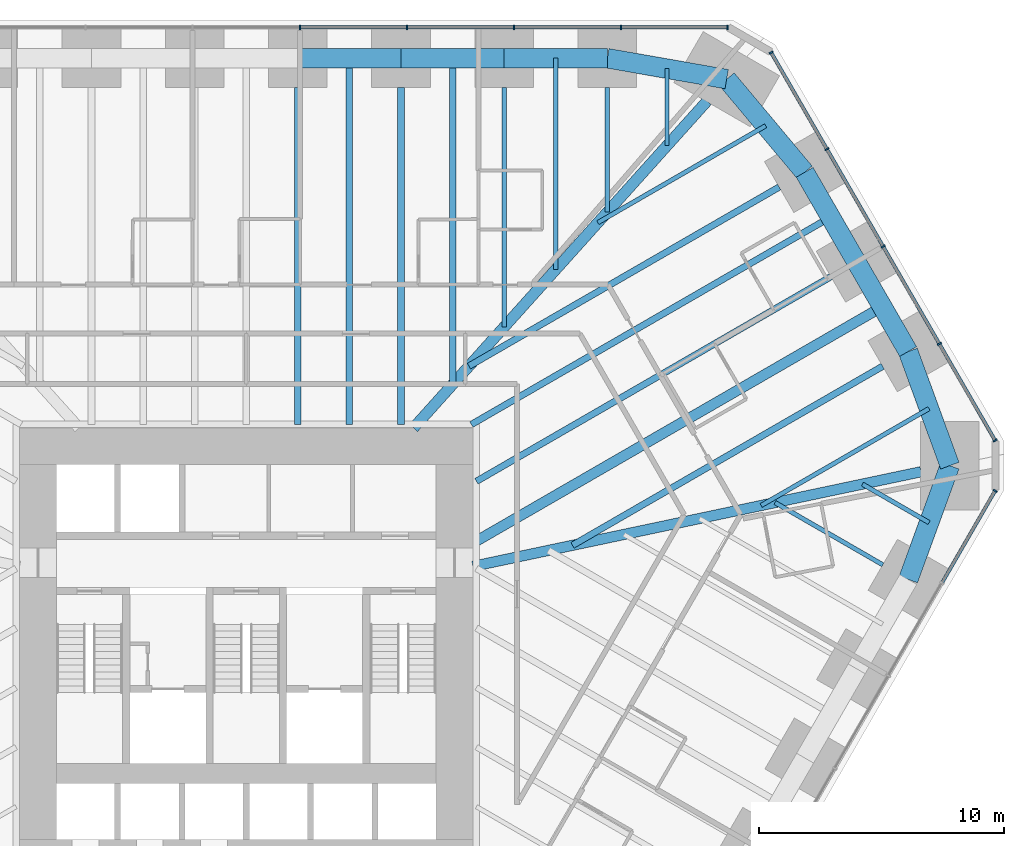
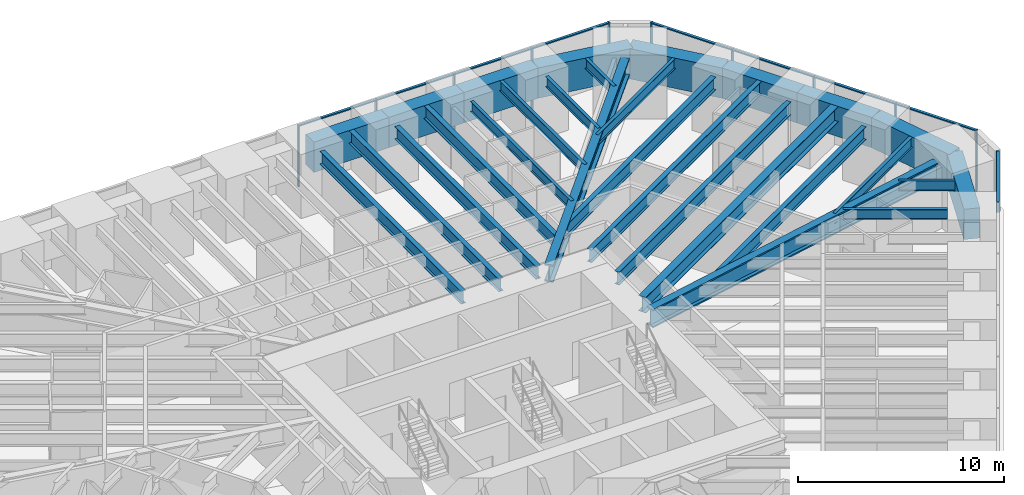
# One storey, part 9 of 17: 28 beams, 20 members, 3 elements without a shape of their own.
"""IFC4 building model written with IfcOpenShell, lengths in metres."""

from ifc_helpers import new_model, si_unit, direction, frame, origin, origin_2d, place, context, subcontext, project, spatial, rectangle, i_section, extrude, material, material_profile, profile_set, type_object, element, aggregate, save


model = new_model("IFC4")

# Units and contexts
model_context = context("Model", 3, precision=1e-05, world=origin(), true_north=direction((0.0, 1.0)))
body_context = subcontext(model_context, "Body", "Model", "MODEL_VIEW")
ifc_project = project(units=[si_unit("LENGTHUNIT", "METRE"), si_unit("AREAUNIT", "SQUARE_METRE"), si_unit("VOLUMEUNIT", "CUBIC_METRE"), si_unit("PLANEANGLEUNIT", "RADIAN"), si_unit("MASSUNIT", "GRAM", prefix="KILO")], contexts=[model_context])

# Site, building, storey
site_placement = place(None, origin())
site = spatial("IfcSite", under=ifc_project, at=site_placement, CompositionType="ELEMENT")
building_placement = place(site_placement, origin())
building = spatial("IfcBuilding", under=site, at=building_placement, Name="Sandreach Pilgrim Tower", CompositionType="ELEMENT")
storey_placement = place(building_placement, frame((0.0, 0.0, 30.60009765625)))
storey = spatial("IfcBuildingStorey", under=building, at=storey_placement, Name="L06", CompositionType="ELEMENT", Elevation=30.60009765625)

# Curtain wall, members
ifc_material_1 = material(Name="Aluminium framed curtain wall", Category="aluminium")
curtain_wall_type = type_object("IfcCurtainWallType", Name="Hostel tower curtain wall", PredefinedType="NOTDEFINED", material=ifc_material_1)
curtain_wall_1_placement = place(storey_placement, origin())
curtain_wall_1 = element("IfcCurtainWall", 1, at=curtain_wall_1_placement, inside=storey, type_object=curtain_wall_type, Name="CW-1 L06 N", PredefinedType="NOTDEFINED")
ifc_material_2 = material(Name="Aluminium extrusion", Category="aluminium")
ifc_material_profile_1 = material_profile(ifc_material_2, rectangle(XDim=0.06494140625, YDim=0.179931640625, at=origin_2d()), Name="CW-1M 65X180")
ifc_profile_set_1 = profile_set([ifc_material_profile_1], Name="Aluminium extrusion")
member_type_1 = type_object("IfcMemberType", Name="CW-1 mullion", PredefinedType="MULLION", material=ifc_profile_set_1)
member_1_placement = place(storey_placement, frame((2.185791015625, 23.94873046875, 0.0), z_axis=(0.0, 0.0, 1.0), x_axis=(1.0, 0.0, 0.0)))
member_1 = element("IfcMember", 2, at=member_1_placement, type_object=member_type_1, Name="CW-1 mullion 6", PredefinedType="MULLION", context=body_context, shape_type="SweptSolid", body=[
    extrude(rectangle(XDim=0.06494140625, YDim=0.179931640625, at=origin_2d()), origin(), (0.0, 0.0, 1.0), 3.639892578125),
])
member_2_placement = place(storey_placement, frame((6.557373046875, 23.94873046875, 0.0), z_axis=(0.0, 0.0, 1.0), x_axis=(1.0, 0.0, 0.0)))
member_2 = element("IfcMember", 3, at=member_2_placement, type_object=member_type_1, Name="CW-1 mullion 7", PredefinedType="MULLION", context=body_context, shape_type="SweptSolid", body=[
    extrude(rectangle(XDim=0.06494140625, YDim=0.179931640625, at=origin_2d()), origin(), (0.0, 0.0, 1.0), 3.639892578125),
])
member_3_placement = place(storey_placement, frame((10.928955078125, 23.94873046875, 0.0), z_axis=(0.0, 0.0, 1.0), x_axis=(1.0, 0.0, 0.0)))
member_3 = element("IfcMember", 4, at=member_3_placement, type_object=member_type_1, Name="CW-1 mullion 8", PredefinedType="MULLION", context=body_context, shape_type="SweptSolid", body=[
    extrude(rectangle(XDim=0.06494140625, YDim=0.179931640625, at=origin_2d()), origin(), (0.0, 0.0, 1.0), 3.639892578125),
])
member_4_placement = place(storey_placement, frame((15.300537109375, 23.94873046875, 0.0), z_axis=(0.0, 0.0, 1.0), x_axis=(1.0, 0.0, 0.0)))
member_4 = element("IfcMember", 5, at=member_4_placement, type_object=member_type_1, Name="CW-1 mullion 9", PredefinedType="MULLION", context=body_context, shape_type="SweptSolid", body=[
    extrude(rectangle(XDim=0.06494140625, YDim=0.179931640625, at=origin_2d()), origin(), (0.0, 0.0, 1.0), 3.639892578125),
])
member_5_placement = place(storey_placement, frame((19.6396484375, 23.94873046875, 0.0), z_axis=(0.0, 0.0, 1.0), x_axis=(1.0, 0.0, 0.0)))
member_5 = element("IfcMember", 6, at=member_5_placement, type_object=member_type_1, Name="CW-1 mullion 10", PredefinedType="MULLION", context=body_context, shape_type="SweptSolid", body=[
    extrude(rectangle(XDim=0.06494140625, YDim=0.179931640625, at=origin_2d()), origin(), (0.0, 0.0, 1.0), 3.639892578125),
])

curtain_wall_2_placement = place(storey_placement, origin())
curtain_wall_2 = element("IfcCurtainWall", 7, at=curtain_wall_2_placement, inside=storey, type_object=curtain_wall_type, Name="CW-1 L06 NE", PredefinedType="NOTDEFINED")
member_6_placement = place(storey_placement, frame((21.42041015625, 22.920654296875, 0.0), z_axis=(0.0, 0.0, 1.0), x_axis=(0.5, -0.866025403784, 0.0)))
member_6 = element("IfcMember", 8, at=member_6_placement, type_object=member_type_1, Name="CW-1 mullion 1", PredefinedType="MULLION", context=body_context, shape_type="SweptSolid", body=[
    extrude(rectangle(XDim=0.06494140625, YDim=0.179931640625, at=origin_2d()), origin(), (0.0, 0.0, 1.0), 3.639892578125),
])
member_7_placement = place(storey_placement, frame((23.697265625, 18.97705078125, 0.0), z_axis=(0.0, 0.0, 1.0), x_axis=(0.5, -0.866025403784, 0.0)))
member_7 = element("IfcMember", 9, at=member_7_placement, type_object=member_type_1, Name="CW-1 mullion 2", PredefinedType="MULLION", context=body_context, shape_type="SweptSolid", body=[
    extrude(rectangle(XDim=0.06494140625, YDim=0.179931640625, at=origin_2d()), origin(), (0.0, 0.0, 1.0), 3.639892578125),
])
member_8_placement = place(storey_placement, frame((25.990234375, 15.00537109375, 0.0), z_axis=(0.0, 0.0, 1.0), x_axis=(0.5, -0.866025403784, 0.0)))
member_8 = element("IfcMember", 10, at=member_8_placement, type_object=member_type_1, Name="CW-1 mullion 3", PredefinedType="MULLION", context=body_context, shape_type="SweptSolid", body=[
    extrude(rectangle(XDim=0.06494140625, YDim=0.179931640625, at=origin_2d()), origin(), (0.0, 0.0, 1.0), 3.639892578125),
])
member_9_placement = place(storey_placement, frame((28.283203125, 11.03369140625, 0.0), z_axis=(0.0, 0.0, 1.0), x_axis=(0.5, -0.866025403784, 0.0)))
member_9 = element("IfcMember", 11, at=member_9_placement, type_object=member_type_1, Name="CW-1 mullion 4", PredefinedType="MULLION", context=body_context, shape_type="SweptSolid", body=[
    extrude(rectangle(XDim=0.06494140625, YDim=0.179931640625, at=origin_2d()), origin(), (0.0, 0.0, 1.0), 3.639892578125),
])
member_10_placement = place(storey_placement, frame((30.56005859375, 7.09033203125, 0.0), z_axis=(0.0, 0.0, 1.0), x_axis=(0.5, -0.866025403784, 0.0)))
member_10 = element("IfcMember", 12, at=member_10_placement, type_object=member_type_1, Name="CW-1 mullion 5", PredefinedType="MULLION", context=body_context, shape_type="SweptSolid", body=[
    extrude(rectangle(XDim=0.06494140625, YDim=0.179931640625, at=origin_2d()), origin(), (0.0, 0.0, 1.0), 3.639892578125),
])

# Curtain wall, member
curtain_wall_3_placement = place(storey_placement, origin())
curtain_wall_3 = element("IfcCurtainWall", 13, at=curtain_wall_3_placement, inside=storey, type_object=curtain_wall_type, Name="CW-1 L06 SE", PredefinedType="NOTDEFINED")
member_11_placement = place(storey_placement, frame((30.56005859375, 5.033935546875, 0.0), z_axis=(0.0, 0.0, 1.0), x_axis=(-0.5, -0.866025403784, 0.0)))
member_11 = element("IfcMember", 14, at=member_11_placement, type_object=member_type_1, Name="CW-1 mullion 1", PredefinedType="MULLION", context=body_context, shape_type="SweptSolid", body=[
    extrude(rectangle(XDim=0.06494140625, YDim=0.179931640625, at=origin_2d()), origin(), (0.0, 0.0, 1.0), 3.639892578125),
])

# Member
ifc_material_3 = material(Name="Aluminium extrusion", Category="aluminium")
ifc_material_profile_2 = material_profile(ifc_material_3, rectangle(XDim=0.139892578125, YDim=0.070068359375, at=origin_2d()), Name="CW-1T 140X70")
ifc_profile_set_2 = profile_set([ifc_material_profile_2], Name="Aluminium extrusion")
member_type_2 = type_object("IfcMemberType", Name="CW-1 transom", PredefinedType="USERDEFINED", material=ifc_profile_set_2)
member_12_placement = place(storey_placement, frame((2.21826171875, 23.94873046875, 3.60498046875), z_axis=(1.0, 0.0, 0.0), x_axis=(0.0, 1.0, 0.0)))
member_12 = element("IfcMember", 15, at=member_12_placement, type_object=member_type_2, Name="CW-1 head transom 6", ObjectType="TRANSOM", PredefinedType="USERDEFINED", context=body_context, shape_type="SweptSolid", body=[
    extrude(rectangle(XDim=0.139892578125, YDim=0.070068359375, at=origin_2d()), origin(), (0.0, 0.0, 1.0), 4.306640625),
])

member_13_placement = place(storey_placement, frame((6.58984375, 23.94873046875, 3.60498046875), z_axis=(1.0, 0.0, 0.0), x_axis=(0.0, 1.0, 0.0)))
member_13 = element("IfcMember", 16, at=member_13_placement, type_object=member_type_2, Name="CW-1 head transom 7", ObjectType="TRANSOM", PredefinedType="USERDEFINED", context=body_context, shape_type="SweptSolid", body=[
    extrude(rectangle(XDim=0.139892578125, YDim=0.070068359375, at=origin_2d()), origin(), (0.0, 0.0, 1.0), 4.306640625),
])

member_14_placement = place(storey_placement, frame((10.96142578125, 23.94873046875, 3.60498046875), z_axis=(1.0, 0.0, 0.0), x_axis=(0.0, 1.0, 0.0)))
member_14 = element("IfcMember", 17, at=member_14_placement, type_object=member_type_2, Name="CW-1 head transom 8", ObjectType="TRANSOM", PredefinedType="USERDEFINED", context=body_context, shape_type="SweptSolid", body=[
    extrude(rectangle(XDim=0.139892578125, YDim=0.070068359375, at=origin_2d()), origin(), (0.0, 0.0, 1.0), 4.306640625),
])

member_15_placement = place(storey_placement, frame((15.3330078125, 23.94873046875, 3.60498046875), z_axis=(1.0, 0.0, 0.0), x_axis=(0.0, 1.0, 0.0)))
member_15 = element("IfcMember", 18, at=member_15_placement, type_object=member_type_2, Name="CW-1 head transom 9", ObjectType="TRANSOM", PredefinedType="USERDEFINED", context=body_context, shape_type="SweptSolid", body=[
    extrude(rectangle(XDim=0.139892578125, YDim=0.070068359375, at=origin_2d()), origin(), (0.0, 0.0, 1.0), 4.274169921875),
])

aggregate(curtain_wall_1, [member_1, member_2, member_3, member_4, member_5, member_12, member_13, member_14, member_15])

member_16_placement = place(storey_placement, frame((21.4365234375, 22.892333984375, 3.60498046875), z_axis=(0.500017500808, -0.866015299452, 0.0), x_axis=(0.866015299452, 0.500017500808, 0.0)))
member_16 = element("IfcMember", 19, at=member_16_placement, type_object=member_type_2, Name="CW-1 head transom 1", ObjectType="TRANSOM", PredefinedType="USERDEFINED", context=body_context, shape_type="SweptSolid", body=[
    extrude(rectangle(XDim=0.139892578125, YDim=0.070068359375, at=origin_2d()), origin(), (0.0, 0.0, 1.0), 4.488525390625),
])

member_17_placement = place(storey_placement, frame((23.71337890625, 18.948974609375, 3.60498046875), z_axis=(0.500001366228, -0.866024614991, 0.0), x_axis=(0.866024614991, 0.500001366228, 0.0)))
member_17 = element("IfcMember", 20, at=member_17_placement, type_object=member_type_2, Name="CW-1 head transom 2", ObjectType="TRANSOM", PredefinedType="USERDEFINED", context=body_context, shape_type="SweptSolid", body=[
    extrude(rectangle(XDim=0.139892578125, YDim=0.070068359375, at=origin_2d()), origin(), (0.0, 0.0, 1.0), 4.52099609375),
])

member_18_placement = place(storey_placement, frame((26.00634765625, 14.977294921875, 3.60498046875), z_axis=(0.500001366228, -0.866024614991, 0.0), x_axis=(0.866024614991, 0.500001366228, 0.0)))
member_18 = element("IfcMember", 21, at=member_18_placement, type_object=member_type_2, Name="CW-1 head transom 3", ObjectType="TRANSOM", PredefinedType="USERDEFINED", context=body_context, shape_type="SweptSolid", body=[
    extrude(rectangle(XDim=0.139892578125, YDim=0.070068359375, at=origin_2d()), origin(), (0.0, 0.0, 1.0), 4.52099609375),
])

member_19_placement = place(storey_placement, frame((28.299560546875, 11.005615234375, 3.60498046875), z_axis=(0.499976706761, -0.866038851724, 0.0), x_axis=(0.866038851724, 0.499976706761, 0.0)))
member_19 = element("IfcMember", 22, at=member_19_placement, type_object=member_type_2, Name="CW-1 head transom 4", ObjectType="TRANSOM", PredefinedType="USERDEFINED", context=body_context, shape_type="SweptSolid", body=[
    extrude(rectangle(XDim=0.139892578125, YDim=0.070068359375, at=origin_2d()), origin(), (0.0, 0.0, 1.0), 4.488525390625),
])

aggregate(curtain_wall_2, [member_6, member_7, member_8, member_9, member_10, member_16, member_17, member_18, member_19])

member_20_placement = place(storey_placement, frame((30.543701171875, 5.005859375, 3.60498046875), z_axis=(-0.499991113271, -0.866030534479, 0.0), x_axis=(0.866030534479, -0.499991113271, 0.0)))
member_20 = element("IfcMember", 23, at=member_20_placement, type_object=member_type_2, Name="CW-1 head transom 1", ObjectType="TRANSOM", PredefinedType="USERDEFINED", context=body_context, shape_type="SweptSolid", body=[
    extrude(rectangle(XDim=0.139892578125, YDim=0.070068359375, at=origin_2d()), origin(), (0.0, 0.0, 1.0), 4.27392578125),
])

aggregate(curtain_wall_3, [member_11, member_20])

# Beams
ifc_material_4 = material(Name="Steel ASTM A992 Grade 50", Category="steel")
ifc_material_profile_3 = material_profile(ifc_material_4, i_section(OverallWidth=0.447021484375, OverallDepth=1.0439453125, WebThickness=0.050048828125, FlangeThickness=0.08984375, at=origin_2d()), Name="W36X652")
ifc_profile_set_3 = profile_set([ifc_material_profile_3], Name="Steel ASTM A992 Grade 50")
beam_type_1 = type_object("IfcBeamType", Name="Corner girder W36X652", PredefinedType="BEAM", material=ifc_profile_set_3)
beam_1_placement = place(storey_placement, frame((18.8046875, 20.94189453125, 3.117919921875), z_axis=(-0.668127834846, -0.74404650144, 0.0), x_axis=(0.74404650144, -0.668127834846, 0.0)))
element("IfcBeam", 24, at=beam_1_placement, inside=storey, type_object=beam_type_1, Name="BM L06 CG09", PredefinedType="BEAM", context=body_context, shape_type="SweptSolid", body=[
    extrude(i_section(OverallWidth=0.447021484375, OverallDepth=1.0439453125, WebThickness=0.050048828125, FlangeThickness=0.08984375, at=origin_2d()), origin(), (0.0, 0.0, 1.0), 17.931396484375),
])
ifc_material_5 = material(Name="Steel ASTM A992 Grade 50", Category="steel")
ifc_material_profile_4 = material_profile(ifc_material_5, i_section(OverallWidth=0.424072265625, OverallDepth=1.09228515625, WebThickness=0.04541015625, FlangeThickness=0.08203125, at=origin_2d()), Name="W40X593")
ifc_profile_set_4 = profile_set([ifc_material_profile_4], Name="Steel ASTM A992 Grade 50")
beam_type_2 = type_object("IfcBeamType", Name="Corner girder W40X593", PredefinedType="BEAM", material=ifc_profile_set_4)
beam_2_placement = place(storey_placement, frame((27.53857421875, 5.814208984375, 3.09375), z_axis=(-0.978429884383, -0.206579189045, 0.0), x_axis=(0.206579189045, -0.978429884383, 0.0)))
element("IfcBeam", 25, at=beam_2_placement, inside=storey, type_object=beam_type_2, Name="BM L06 CG13", PredefinedType="BEAM", context=body_context, shape_type="SweptSolid", body=[
    extrude(i_section(OverallWidth=0.424072265625, OverallDepth=1.09228515625, WebThickness=0.04541015625, FlangeThickness=0.08203125, at=origin_2d()), origin(), (0.0, 0.0, 1.0), 18.691650390625),
])
ifc_material_6 = material(Name="Steel ASTM A992 Grade 50", Category="steel")
ifc_material_profile_5 = material_profile(ifc_material_6, i_section(OverallWidth=0.1787109375, OverallDepth=0.60205078125, WebThickness=0.010986328125, FlangeThickness=0.014892578125, at=origin_2d()), Name="W24X62")
ifc_profile_set_5 = profile_set([ifc_material_profile_5], Name="Steel ASTM A992 Grade 50")
beam_type_3 = type_object("IfcBeamType", Name="Floor beam W24X62", PredefinedType="BEAM", material=ifc_profile_set_5)
beam_3_placement = place(storey_placement, frame((10.52490234375, 21.48876953125, 3.3388671875), z_axis=(0.0, -1.0, 0.0), x_axis=(1.0, 0.0, 0.0)))
element("IfcBeam", 26, at=beam_3_placement, inside=storey, type_object=beam_type_3, Name="BM L06 F07", PredefinedType="BEAM", context=body_context, shape_type="SweptSolid", body=[
    extrude(i_section(OverallWidth=0.1787109375, OverallDepth=0.60205078125, WebThickness=0.010986328125, FlangeThickness=0.014892578125, at=origin_2d()), origin(), (0.0, 0.0, 1.0), 9.767822265625),
])
beam_4_placement = place(storey_placement, frame((14.734619140625, 21.48876953125, 3.3388671875), z_axis=(0.0, -1.0, 0.0), x_axis=(1.0, 0.0, 0.0)))
element("IfcBeam", 27, at=beam_4_placement, inside=storey, type_object=beam_type_3, Name="BM L06 F08", PredefinedType="BEAM", context=body_context, shape_type="SweptSolid", body=[
    extrude(i_section(OverallWidth=0.1787109375, OverallDepth=0.60205078125, WebThickness=0.010986328125, FlangeThickness=0.014892578125, at=origin_2d()), origin(), (0.0, 0.0, 1.0), 5.079345703125),
])
beam_5_placement = place(storey_placement, frame((25.97705078125, 2.016357421875, 3.3388671875), z_axis=(-0.866027897259, 0.49999568115, 0.0), x_axis=(-0.49999568115, -0.866027897259, 0.0)))
element("IfcBeam", 28, at=beam_5_placement, inside=storey, type_object=beam_type_3, Name="BM L06 F14", PredefinedType="BEAM", context=body_context, shape_type="SweptSolid", body=[
    extrude(i_section(OverallWidth=0.1787109375, OverallDepth=0.60205078125, WebThickness=0.010986328125, FlangeThickness=0.014892578125, at=origin_2d()), origin(), (0.0, 0.0, 1.0), 5.0791015625),
])
beam_6_placement = place(storey_placement, frame((12.629638671875, 22.688720703125, 3.3388671875), z_axis=(0.0, -1.0, 0.0), x_axis=(1.0, 0.0, 0.0)))
element("IfcBeam", 29, at=beam_6_placement, inside=storey, type_object=beam_type_3, Name="BM L06 FM07", PredefinedType="BEAM", context=body_context, shape_type="SweptSolid", body=[
    extrude(i_section(OverallWidth=0.1787109375, OverallDepth=0.60205078125, WebThickness=0.010986328125, FlangeThickness=0.014892578125, at=origin_2d()), origin(), (0.0, 0.0, 1.0), 8.62353515625),
])
beam_7_placement = place(storey_placement, frame((17.17041015625, 22.26171875, 3.3388671875), z_axis=(0.0, -1.0, 0.0), x_axis=(1.0, 0.0, 0.0)))
element("IfcBeam", 30, at=beam_7_placement, inside=storey, type_object=beam_type_3, Name="BM L06 FM08", PredefinedType="BEAM", context=body_context, shape_type="SweptSolid", body=[
    extrude(i_section(OverallWidth=0.1787109375, OverallDepth=0.60205078125, WebThickness=0.010986328125, FlangeThickness=0.014892578125, at=origin_2d()), origin(), (0.0, 0.0, 1.0), 3.1396484375),
])
for number, where, z_axis, x_axis, name in (
    (31, (21.197021484375, 19.933349609375, 3.3388671875), (-0.866028778003, -0.499994155636, 0.0), (0.499994155636, -0.866028778003, 0.0), "BM L06 FM09"),
    (32, (27.861328125, 8.390380859375, 3.3388671875), (-0.866028778003, -0.499994155636, 0.0), (0.499994155636, -0.866028778003, 0.0), "BM L06 FM12"),
):
    element("IfcBeam", number, at=place(storey_placement, frame(where, z_axis=z_axis, x_axis=x_axis)), inside=storey, type_object=beam_type_3, Name=name, PredefinedType="BEAM", context=body_context, shape_type="SweptSolid", body=[
        extrude(i_section(OverallWidth=0.1787109375, OverallDepth=0.60205078125, WebThickness=0.010986328125, FlangeThickness=0.014892578125, at=origin_2d()), origin(), (0.0, 0.0, 1.0), 7.90771484375),
    ])
beam_8_placement = place(storey_placement, frame((27.864501953125, 3.7392578125, 3.3388671875), z_axis=(-0.866023718453, 0.500002919068, 0.0), x_axis=(-0.500002919068, -0.866023718453, 0.0)))
element("IfcBeam", 33, at=beam_8_placement, inside=storey, type_object=beam_type_3, Name="BM L06 FM13", PredefinedType="BEAM", context=body_context, shape_type="SweptSolid", body=[
    extrude(i_section(OverallWidth=0.1787109375, OverallDepth=0.60205078125, WebThickness=0.010986328125, FlangeThickness=0.014892578125, at=origin_2d()), origin(), (0.0, 0.0, 1.0), 3.1396484375),
])
ifc_material_7 = material(Name="Steel ASTM A992 Grade 50", Category="steel")
ifc_material_profile_6 = material_profile(ifc_material_7, i_section(OverallWidth=0.2666015625, OverallDepth=0.761962890625, WebThickness=0.014404296875, FlangeThickness=0.021484375, at=origin_2d()), Name="W30X116")
ifc_profile_set_6 = profile_set([ifc_material_profile_6], Name="Steel ASTM A992 Grade 50")
beam_type_4 = type_object("IfcBeamType", Name="Floor beam W30X116", PredefinedType="BEAM", material=ifc_profile_set_6)
for number, where, z_axis, x_axis, name in (
    (34, (2.10498046875, 21.48876953125, 3.2587890625), (0.0, -1.0, 0.0), (1.0, 0.0, 0.0), "BM L06 F05"),
    (35, (6.31494140625, 21.48876953125, 3.2587890625), (0.0, -1.0, 0.0), (1.0, 0.0, 0.0), "BM L06 F06"),
):
    element("IfcBeam", number, at=place(storey_placement, frame(where, z_axis=z_axis, x_axis=x_axis)), inside=storey, type_object=beam_type_4, Name=name, PredefinedType="BEAM", context=body_context, shape_type="SweptSolid", body=[
        extrude(i_section(OverallWidth=0.2666015625, OverallDepth=0.761962890625, WebThickness=0.014404296875, FlangeThickness=0.021484375, at=origin_2d()), origin(), (0.0, 0.0, 1.0), 13.745361328125),
    ])
for number, where, z_axis, x_axis, name in (
    (36, (21.74853515625, 17.43212890625, 3.2587890625), (-0.866020355572, -0.500008743658, 0.0), (0.500008743658, -0.866020355572, 0.0), "BM L06 F10"),
    (37, (25.970947265625, 10.118896484375, 3.2587890625), (-0.866020355572, -0.500008743658, 0.0), (0.500008743658, -0.866020355572, 0.0), "BM L06 F12"),
):
    element("IfcBeam", number, at=place(storey_placement, frame(where, z_axis=z_axis, x_axis=x_axis)), inside=storey, type_object=beam_type_4, Name=name, PredefinedType="BEAM", context=body_context, shape_type="SweptSolid", body=[
        extrude(i_section(OverallWidth=0.2666015625, OverallDepth=0.761962890625, WebThickness=0.014404296875, FlangeThickness=0.021484375, at=origin_2d()), origin(), (0.0, 0.0, 1.0), 14.615966796875),
    ])
beam_9_placement = place(storey_placement, frame((4.2099609375, 22.688720703125, 3.2587890625), z_axis=(0.0, -1.0, 0.0), x_axis=(1.0, 0.0, 0.0)))
element("IfcBeam", 38, at=beam_9_placement, inside=storey, type_object=beam_type_4, Name="BM L06 FM05", PredefinedType="BEAM", context=body_context, shape_type="SweptSolid", body=[
    extrude(i_section(OverallWidth=0.2666015625, OverallDepth=0.761962890625, WebThickness=0.014404296875, FlangeThickness=0.021484375, at=origin_2d()), origin(), (0.0, 0.0, 1.0), 14.9453125),
])
beam_10_placement = place(storey_placement, frame((8.419921875, 22.688720703125, 3.2587890625), z_axis=(0.0, -1.0, 0.0), x_axis=(1.0, 0.0, 0.0)))
element("IfcBeam", 39, at=beam_10_placement, inside=storey, type_object=beam_type_4, Name="BM L06 FM06", PredefinedType="BEAM", context=body_context, shape_type="SweptSolid", body=[
    extrude(i_section(OverallWidth=0.2666015625, OverallDepth=0.761962890625, WebThickness=0.014404296875, FlangeThickness=0.021484375, at=origin_2d()), origin(), (0.0, 0.0, 1.0), 13.311767578125),
])
ifc_material_8 = material(Name="Steel ASTM A992 Grade 50", Category="steel")
ifc_material_profile_7 = material_profile(ifc_material_8, i_section(OverallWidth=0.2666015625, OverallDepth=0.77978515625, WebThickness=0.0166015625, FlangeThickness=0.030029296875, at=origin_2d()), Name="W30X148")
ifc_profile_set_7 = profile_set([ifc_material_profile_7], Name="Steel ASTM A992 Grade 50")
beam_type_5 = type_object("IfcBeamType", Name="Floor beam W30X148", PredefinedType="BEAM", material=ifc_profile_set_7)
beam_11_placement = place(storey_placement, frame((23.85986328125, 13.775390625, 3.25), z_axis=(-0.866031037473, -0.499990242038, 0.0), x_axis=(0.499990242038, -0.866031037473, 0.0)))
element("IfcBeam", 40, at=beam_11_placement, inside=storey, type_object=beam_type_5, Name="BM L06 F11", PredefinedType="BEAM", context=body_context, shape_type="SweptSolid", body=[
    extrude(i_section(OverallWidth=0.2666015625, OverallDepth=0.77978515625, WebThickness=0.0166015625, FlangeThickness=0.030029296875, at=origin_2d()), origin(), (0.0, 0.0, 1.0), 16.704345703125),
])
beam_12_placement = place(storey_placement, frame((23.843505859375, 16.203857421875, 3.25), z_axis=(-0.866027248123, -0.499996805499, 0.0), x_axis=(0.499996805499, -0.866027248123, 0.0)))
element("IfcBeam", 41, at=beam_12_placement, inside=storey, type_object=beam_type_5, Name="BM L06 FM10", PredefinedType="BEAM", context=body_context, shape_type="SweptSolid", body=[
    extrude(i_section(OverallWidth=0.2666015625, OverallDepth=0.77978515625, WebThickness=0.0166015625, FlangeThickness=0.030029296875, at=origin_2d()), origin(), (0.0, 0.0, 1.0), 16.9208984375),
])
ifc_material_9 = material(Name="Steel ASTM A992 Grade 50", Category="steel")
ifc_material_profile_8 = material_profile(ifc_material_9, i_section(OverallWidth=0.419189453125, OverallDepth=0.927001953125, WebThickness=0.019287109375, FlangeThickness=0.031982421875, at=origin_2d()), Name="W36X231")
ifc_profile_set_8 = profile_set([ifc_material_profile_8], Name="Steel ASTM A992 Grade 50")
beam_type_6 = type_object("IfcBeamType", Name="Floor beam W36X231", PredefinedType="BEAM", material=ifc_profile_set_8)
beam_13_placement = place(storey_placement, frame((25.95458984375, 12.547119140625, 3.17626953125), z_axis=(-0.866028474707, -0.499994680968, 0.0), x_axis=(0.499994680968, -0.866028474707, 0.0)))
element("IfcBeam", 42, at=beam_13_placement, inside=storey, type_object=beam_type_6, Name="BM L06 FM11", PredefinedType="BEAM", context=body_context, shape_type="SweptSolid", body=[
    extrude(i_section(OverallWidth=0.419189453125, OverallDepth=0.927001953125, WebThickness=0.019287109375, FlangeThickness=0.031982421875, at=origin_2d()), origin(), (0.0, 0.0, 1.0), 19.123291015625),
])
ifc_material_10 = material(Name="Concrete 10000 psi", Category="concrete")
ifc_material_profile_9 = material_profile(ifc_material_10, rectangle(XDim=0.800048828125, YDim=1.800048828125, at=origin_2d()), Name="RC800X1800")
ifc_profile_set_9 = profile_set([ifc_material_profile_9], Name="Concrete 10000 psi")
beam_type_7 = type_object("IfcBeamType", Name="Spandrel beam RC800X1800", PredefinedType="SPANDREL", material=ifc_profile_set_9)
for number, where, z_axis, x_axis, name in (
    (43, (2.10498046875, 22.688720703125, 2.739990234375), (1.0, 0.0, 0.0), (0.0, 1.0, 0.0), "BM L06 SP05"),
    (44, (6.31494140625, 22.688720703125, 2.739990234375), (1.0, 0.0, 0.0), (0.0, 1.0, 0.0), "BM L06 SP06"),
):
    element("IfcBeam", number, at=place(storey_placement, frame(where, z_axis=z_axis, x_axis=x_axis)), inside=storey, type_object=beam_type_7, Name=name, PredefinedType="SPANDREL", context=body_context, shape_type="SweptSolid", body=[
        extrude(rectangle(XDim=0.800048828125, YDim=1.800048828125, at=origin_2d()), origin(), (0.0, 0.0, 1.0), 4.2099609375),
    ])
beam_14_placement = place(storey_placement, frame((10.52490234375, 22.688720703125, 2.739990234375), z_axis=(1.0, 0.0, 0.0), x_axis=(0.0, 1.0, 0.0)))
element("IfcBeam", 45, at=beam_14_placement, inside=storey, type_object=beam_type_7, Name="BM L06 SP07", PredefinedType="SPANDREL", context=body_context, shape_type="SweptSolid", body=[
    extrude(rectangle(XDim=0.800048828125, YDim=1.800048828125, at=origin_2d()), origin(), (0.0, 0.0, 1.0), 4.209716796875),
])
beam_15_placement = place(storey_placement, frame((14.734619140625, 22.688720703125, 2.739990234375), z_axis=(0.984981186582, -0.172661698355, 0.0), x_axis=(0.172661698355, 0.984981186582, 0.0)))
element("IfcBeam", 46, at=beam_15_placement, inside=storey, type_object=beam_type_7, Name="BM L06 SP08", PredefinedType="SPANDREL", context=body_context, shape_type="SweptSolid", body=[
    extrude(rectangle(XDim=0.800048828125, YDim=1.800048828125, at=origin_2d()), origin(), (0.0, 0.0, 1.0), 4.946044921875),
])
beam_16_placement = place(storey_placement, frame((19.6064453125, 21.834716796875, 2.739990234375), z_axis=(0.641665295114, -0.766984777584, 0.0), x_axis=(0.766984777584, 0.641665295114, 0.0)))
element("IfcBeam", 47, at=beam_16_placement, inside=storey, type_object=beam_type_7, Name="BM L06 SP09", PredefinedType="SPANDREL", context=body_context, shape_type="SweptSolid", body=[
    extrude(rectangle(XDim=0.800048828125, YDim=1.800048828125, at=origin_2d()), origin(), (0.0, 0.0, 1.0), 4.9580078125),
])
beam_17_placement = place(storey_placement, frame((22.787841796875, 18.031982421875, 2.739990234375), z_axis=(0.500001084989, -0.866024777365, 0.0), x_axis=(0.866024777365, 0.500001084989, 0.0)))
element("IfcBeam", 48, at=beam_17_placement, inside=storey, type_object=beam_type_7, Name="BM L06 SP10", PredefinedType="SPANDREL", context=body_context, shape_type="SweptSolid", body=[
    extrude(rectangle(XDim=0.800048828125, YDim=1.800048828125, at=origin_2d()), origin(), (0.0, 0.0, 1.0), 4.22216796875),
])
beam_18_placement = place(storey_placement, frame((24.89892578125, 14.37548828125, 2.739990234375), z_axis=(0.500019412692, -0.866014195571, 0.0), x_axis=(0.866014195571, 0.500019412692, 0.0)))
element("IfcBeam", 49, at=beam_18_placement, inside=storey, type_object=beam_type_7, Name="BM L06 SP11", PredefinedType="SPANDREL", context=body_context, shape_type="SweptSolid", body=[
    extrude(rectangle(XDim=0.800048828125, YDim=1.800048828125, at=origin_2d()), origin(), (0.0, 0.0, 1.0), 4.222412109375),
])
beam_19_placement = place(storey_placement, frame((27.01025390625, 10.71875, 2.739990234375), z_axis=(0.343367552823, -0.939201109278, 0.0), x_axis=(0.939201109278, 0.343367552823, 0.0)))
element("IfcBeam", 50, at=beam_19_placement, inside=storey, type_object=beam_type_7, Name="BM L06 SP12", PredefinedType="SPANDREL", context=body_context, shape_type="SweptSolid", body=[
    extrude(rectangle(XDim=0.800048828125, YDim=1.800048828125, at=origin_2d()), origin(), (0.0, 0.0, 1.0), 4.9580078125),
])
beam_20_placement = place(storey_placement, frame((28.712646484375, 6.062255859375, 2.739990234375), z_axis=(-0.342963480301, -0.939348737786, 0.0), x_axis=(0.939348737786, -0.342963480301, 0.0)))
element("IfcBeam", 51, at=beam_20_placement, inside=storey, type_object=beam_type_7, Name="BM L06 SP13", PredefinedType="SPANDREL", context=body_context, shape_type="SweptSolid", body=[
    extrude(rectangle(XDim=0.800048828125, YDim=1.800048828125, at=origin_2d()), origin(), (0.0, 0.0, 1.0), 4.946044921875),
])

save(model, "model.ifc")
